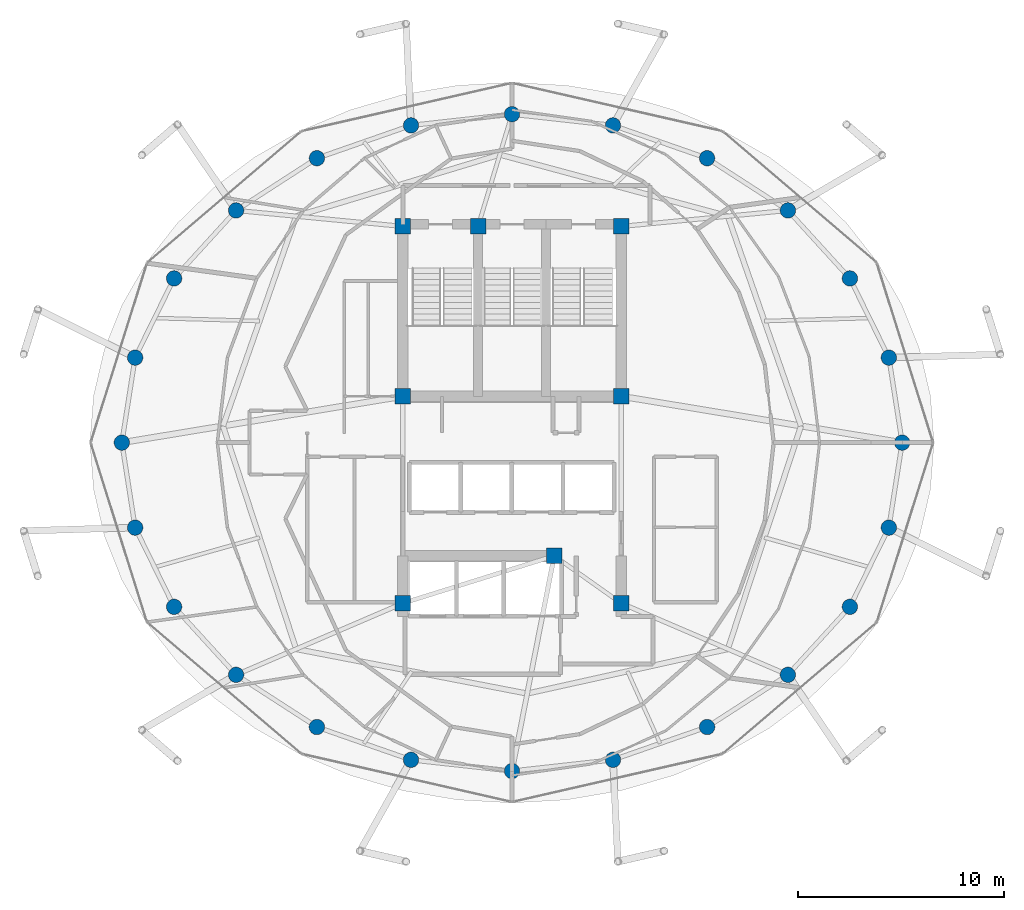
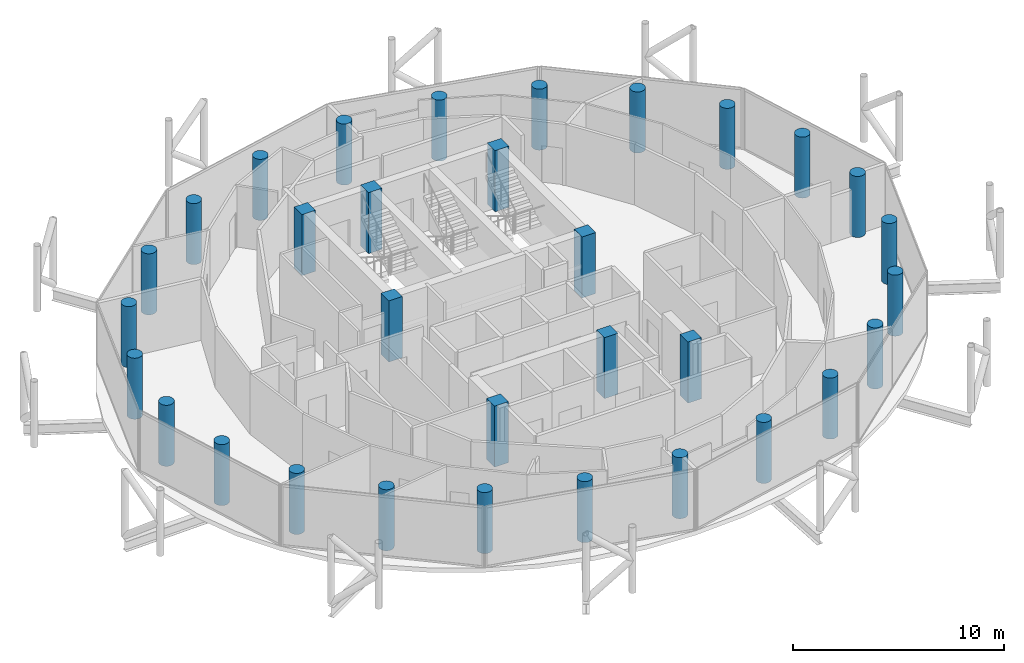
# One storey, part 1 of 24: 32 columns.
"""IFC4 building model written with IfcOpenShell, lengths in metres."""

import ifcopenshell
import ifcopenshell.guid

model = None  # the IFC model being written
_history = None  # IfcOwnerHistory: only IFC2X3 demands one
_inside = {}  # id of a spatial element -> (the spatial element, [elements in it])
_under = {}  # id of a project, library or spatial element -> (it, [spatial elements below it])
_declared = {}  # id of a project -> (the project, [libraries it declares])
_typed = {}  # id of a type object -> (the type object, [elements of that type])
_made_of = {}  # id of a material, layer set ... -> (it, [elements and type objects made of it])


def new_model(schema):
    """Start an empty IFC model of exactly this schema.

    Asked for "IFC4X3", IfcOpenShell would pick the latest addendum, in which some entities
    have other attributes; the version numbers below select the first issue.
    IFC2X3 requires an IfcOwnerHistory on every rooted entity: one is made here for all.
    """
    global model, _history
    if schema == "IFC4X3":
        model = ifcopenshell.file(schema_version=(4, 3, 0, 0))
    else:
        model = ifcopenshell.file(schema=schema)
    _inside.clear()
    _under.clear()
    _declared.clear()
    _typed.clear()
    _made_of.clear()
    _history = None
    if model.schema == "IFC2X3":
        org = make("IfcOrganization", Name="unknown")
        user = make(
            "IfcPersonAndOrganization",
            ThePerson=make("IfcPerson", FamilyName="unknown"),
            TheOrganization=org,
        )
        app = make(
            "IfcApplication",
            ApplicationDeveloper=org,
            Version="unknown",
            ApplicationFullName="unknown",
            ApplicationIdentifier="unknown",
        )
        _history = make(
            "IfcOwnerHistory",
            OwningUser=user,
            OwningApplication=app,
            ChangeAction="ADDED",
            CreationDate=0,
        )
    return model


def make(cls, **values):
    """One entity of the class cls with the attributes given. An attribute that is None is left unset."""
    return model.create_entity(
        cls, **{name: value for name, value in values.items() if value is not None}
    )


def rooted(cls, **values):
    """An entity with a GlobalId (a new one), such as an element, a storey or a relation."""
    return make(cls, GlobalId=ifcopenshell.guid.new(), OwnerHistory=_history, **values)


def si_unit(unit_type, name, prefix=None):
    """IfcSIUnit, for example si_unit("LENGTHUNIT", "METRE", prefix="MILLI")."""
    return make("IfcSIUnit", UnitType=unit_type, Prefix=prefix, Name=name)


def assignment(units):
    """IfcUnitAssignment: the units of a project."""
    return None if units is None else make("IfcUnitAssignment", Units=units)


def point(xyz):
    """IfcCartesianPoint."""
    return None if xyz is None else make("IfcCartesianPoint", Coordinates=xyz)


def direction(xyz):
    """IfcDirection."""
    return None if xyz is None else make("IfcDirection", DirectionRatios=xyz)


def frame(location, z_axis=None, x_axis=None):
    """IfcAxis2Placement3D, a coordinate frame: its origin and axes. An axis left out is left unset."""
    return make(
        "IfcAxis2Placement3D",
        Location=point(location),
        Axis=direction(z_axis),
        RefDirection=direction(x_axis),
    )


def frame_2d(location, x_axis=None):
    """IfcAxis2Placement2D, a coordinate frame in the plane: its origin and x axis."""
    return make(
        "IfcAxis2Placement2D", Location=point(location), RefDirection=direction(x_axis)
    )


def origin():
    """The frame at (0, 0, 0) with its axes left unset."""
    return frame((0.0, 0.0, 0.0))


def origin_2d():
    """The frame at (0, 0) in the plane with its x axis left unset."""
    return frame_2d((0.0, 0.0))


def place(relative_to, where):
    """IfcLocalPlacement: puts the frame where relative to a parent placement (None: the world)."""
    return make(
        "IfcLocalPlacement", PlacementRelTo=relative_to, RelativePlacement=where
    )


def context(
    kind, dimensions, precision=None, world=None, true_north=None, identifier=None
):
    """IfcGeometricRepresentationContext, for example the 3D "Model" context."""
    return make(
        "IfcGeometricRepresentationContext",
        ContextIdentifier=identifier,
        ContextType=kind,
        CoordinateSpaceDimension=dimensions,
        Precision=precision,
        WorldCoordinateSystem=world,
        TrueNorth=true_north,
    )


def subcontext(parent, identifier, kind, view, scale=None):
    """IfcGeometricRepresentationSubContext, for example "Body" below "Model"."""
    return make(
        "IfcGeometricRepresentationSubContext",
        ContextIdentifier=identifier,
        ContextType=kind,
        ParentContext=parent,
        TargetScale=scale,
        TargetView=view,
    )


def project(units=None, contexts=None):
    """IfcProject with its units and contexts."""
    return rooted(
        "IfcProject",
        Name="project",
        RepresentationContexts=contexts,
        UnitsInContext=assignment(units),
    )


def spatial(cls, under=None, at=None, **own):
    """A site, building, storey or space (cls), placed at a placement, below another one or the project."""
    s = rooted(cls, ObjectPlacement=at, **own)
    if under is not None:
        _under.setdefault(under.id(), (under, []))[1].append(s)
    return s


def profile(cls, at=None, kind="AREA", **sizes):
    """A parametric profile (cls). Its sizes go by their IFC names, for example OverallWidth=200.0."""
    return make(cls, ProfileType=kind, Position=at, **sizes)


def rectangle(**sizes):
    """IfcRectangleProfileDef."""
    return profile("IfcRectangleProfileDef", **sizes)


def circle(**sizes):
    """IfcCircleProfileDef."""
    return profile("IfcCircleProfileDef", **sizes)


def extrude(swept, where, along, depth):
    """IfcExtrudedAreaSolid: the profile swept, set in the frame where, extruded along a direction by depth."""
    return make(
        "IfcExtrudedAreaSolid",
        SweptArea=swept,
        Position=where,
        ExtrudedDirection=direction(along),
        Depth=depth,
    )


def shape(context_of_items, identifier, shape_type, items):
    """IfcShapeRepresentation: the items that make up one representation, for example the "Body"."""
    return make(
        "IfcShapeRepresentation",
        ContextOfItems=context_of_items,
        RepresentationIdentifier=identifier,
        RepresentationType=shape_type,
        Items=items,
    )


def material(Name=None, Category=None):
    """IfcMaterial."""
    return make("IfcMaterial", Name=Name, Category=Category)


def material_profile(
    of_material, cross_section, Name=None, Category=None, Priority=None
):
    """IfcMaterialProfile: a cross section and its material."""
    return make(
        "IfcMaterialProfile",
        Name=Name,
        Material=of_material,
        Profile=cross_section,
        Priority=Priority,
        Category=Category,
    )


def profile_set(profiles, Name=None, composite=None):
    """IfcMaterialProfileSet."""
    return make(
        "IfcMaterialProfileSet",
        Name=Name,
        MaterialProfiles=profiles,
        CompositeProfile=composite,
    )


def made_of(thing, what):
    """Note that an element or type object is made of a material, layer set ...; save() writes the relation."""
    if what is not None:
        _made_of.setdefault(what.id(), (what, []))[1].append(thing)
    return thing


def type_object(cls, material=None, **own):
    """A type object (cls), such as IfcWallType, which elements share."""
    return made_of(rooted(cls, **own), material)


def element(
    cls,
    number,
    at=None,
    inside=None,
    cuts=None,
    type_object=None,
    material=None,
    context=None,
    identifier="Body",
    shape_type=None,
    held_by="IfcProductDefinitionShape",
    body=None,
    shapes=None,
    **own,
):
    """One element of the class cls, such as IfcWall. Its Tag is "e" and its number.

    at: its placement. inside: the storey or other place that contains it. cuts: it is an
    opening in that element (IfcRelVoidsElement). A single representation is given by context,
    identifier, shape_type and body (its items); several are given by shapes. held_by: the class
    of the entity that holds the representations. save() writes the other relations.
    """
    e = rooted(cls, Tag="e%d" % number, ObjectPlacement=at, **own)
    if body is not None:
        shapes = [shape(context, identifier, shape_type, body)]
    if shapes is not None:
        e.Representation = make(held_by, Representations=shapes)
    if inside is not None:
        _inside.setdefault(inside.id(), (inside, []))[1].append(e)
    if cuts is not None:
        rooted(
            "IfcRelVoidsElement", RelatingBuildingElement=cuts, RelatedOpeningElement=e
        )
    if type_object is not None:
        _typed.setdefault(type_object.id(), (type_object, []))[1].append(e)
    return made_of(e, material)


def aggregate(whole, parts):
    """IfcRelAggregates: a whole, such as a stair, and the parts it consists of."""
    return rooted("IfcRelAggregates", RelatingObject=whole, RelatedObjects=parts)


def save(model, path):
    """Write the relations noted so far, then the file.

    IfcRelAggregates (storeys below a building ...), IfcRelContainedInSpatialStructure (elements
    in a storey), IfcRelDefinesByType, IfcRelAssociatesMaterial and IfcRelDeclares: one each for
    every whole, place, type object, material and project.
    """
    for whole, parts in _under.values():
        aggregate(whole, parts)
    for where, things in _inside.values():
        rooted(
            "IfcRelContainedInSpatialStructure",
            RelatedElements=things,
            RelatingStructure=where,
        )
    for kind, things in _typed.values():
        rooted("IfcRelDefinesByType", RelatedObjects=things, RelatingType=kind)
    for what, things in _made_of.values():
        rooted("IfcRelAssociatesMaterial", RelatedObjects=things, RelatingMaterial=what)
    for by, libraries in _declared.values():
        rooted("IfcRelDeclares", RelatingContext=by, RelatedDefinitions=libraries)
    model.write(path)


model = new_model("IFC4")

# Units and contexts
model_context = context("Model", 3, precision=1e-05, world=origin(), true_north=direction((0.0, 1.0)))
body_context = subcontext(model_context, "Body", "Model", "MODEL_VIEW")
ifc_project = project(units=[si_unit("LENGTHUNIT", "METRE"), si_unit("AREAUNIT", "SQUARE_METRE"), si_unit("VOLUMEUNIT", "CUBIC_METRE"), si_unit("PLANEANGLEUNIT", "RADIAN"), si_unit("MASSUNIT", "GRAM", prefix="KILO")], contexts=[model_context])

# Site, building, storey
site_placement = place(None, origin())
site = spatial("IfcSite", under=ifc_project, at=site_placement, CompositionType="ELEMENT")
building_placement = place(site_placement, origin())
building = spatial("IfcBuilding", under=site, at=building_placement, Name="Nuhasar Tower", CompositionType="ELEMENT")
storey_placement = place(building_placement, frame((0.0, 0.0, 270.800048828125)))
storey = spatial("IfcBuildingStorey", under=building, at=storey_placement, Name="L67", CompositionType="ELEMENT", Elevation=270.800048828125)

# Columns
ifc_material = material(Name="Concrete C50/60", Category="concrete")
ifc_material_profile_1 = material_profile(ifc_material, circle(Radius=0.375, at=origin_2d()), Name="CFT750")
ifc_profile_set_1 = profile_set([ifc_material_profile_1], Name="Concrete C50/60")
column_type_1 = type_object("IfcColumnType", Name="COL-CFT-750", PredefinedType="COLUMN", material=ifc_profile_set_1)
for number, where, z_axis, x_axis, name in (
    (1, (57.949951171875, 26.800048828125, 0.0), (0.0, 0.0, 1.0), (1.0, 0.0, 0.0), "L67 Perimeter Composite Column TC-01"),
    (2, (57.303955078125, 30.927978515625, 0.0), (0.0, 0.0, 1.0), (1.0, 0.0, 0.0), "L67 Perimeter Composite Column TC-02"),
    (3, (55.410888671875, 34.77490234375, 0.0), (0.0, 0.0, 1.0), (1.0, 0.0, 0.0), "L67 Perimeter Composite Column TC-03"),
    (4, (52.39990234375, 38.077880859375, 0.0), (0.0, 0.0, 1.0), (1.0, 0.0, 0.0), "L67 Perimeter Composite Column TC-04"),
    (5, (48.47509765625, 40.613037109375, 0.0), (0.0, 0.0, 1.0), (1.0, 0.0, 0.0), "L67 Perimeter Composite Column TC-05"),
    (6, (43.905029296875, 42.20703125, 0.0), (0.0, 0.0, 1.0), (1.0, 0.0, 0.0), "L67 Perimeter Composite Column TC-06"),
    (7, (39.0, 42.75, 0.0), (0.0, 0.0, 1.0), (1.0, 0.0, 0.0), "L67 Perimeter Composite Column TC-07"),
    (8, (34.094970703125, 42.20703125, 0.0), (0.0, 0.0, 1.0), (1.0, 0.0, 0.0), "L67 Perimeter Composite Column TC-08"),
    (9, (29.52490234375, 40.613037109375, 0.0), (0.0, 0.0, 1.0), (1.0, 0.0, 0.0), "L67 Perimeter Composite Column TC-09"),
    (10, (25.60009765625, 38.077880859375, 0.0), (0.0, 0.0, 1.0), (1.0, 0.0, 0.0), "L67 Perimeter Composite Column TC-10"),
    (11, (22.589111328125, 34.77490234375, 0.0), (0.0, 0.0, 1.0), (1.0, 0.0, 0.0), "L67 Perimeter Composite Column TC-11"),
    (12, (20.696044921875, 30.927978515625, 0.0), (0.0, 0.0, 1.0), (1.0, 0.0, 0.0), "L67 Perimeter Composite Column TC-12"),
    (13, (20.050048828125, 26.800048828125, 0.0), (0.0, 0.0, 1.0), (1.0, 0.0, 0.0), "L67 Perimeter Composite Column TC-13"),
    (14, (20.696044921875, 22.672119140625, 0.0), (0.0, 0.0, 1.0), (1.0, 0.0, 0.0), "L67 Perimeter Composite Column TC-14"),
    (15, (22.589111328125, 18.824951171875, 0.0), (0.0, 0.0, 1.0), (1.0, 0.0, 0.0), "L67 Perimeter Composite Column TC-15"),
    (16, (25.60009765625, 15.52197265625, 0.0), (0.0, 0.0, 1.0), (1.0, 0.0, 0.0), "L67 Perimeter Composite Column TC-16"),
    (17, (29.52490234375, 12.987060546875, 0.0), (0.0, 0.0, 1.0), (1.0, 0.0, 0.0), "L67 Perimeter Composite Column TC-17"),
    (18, (34.094970703125, 11.39306640625, 0.0), (0.0, 0.0, 1.0), (1.0, 0.0, 0.0), "L67 Perimeter Composite Column TC-18"),
    (19, (39.0, 10.85009765625, 0.0), (0.0, 0.0, 1.0), (1.0, 0.0, 0.0), "L67 Perimeter Composite Column TC-19"),
    (20, (43.905029296875, 11.39306640625, 0.0), (0.0, 0.0, 1.0), (1.0, 0.0, 0.0), "L67 Perimeter Composite Column TC-20"),
    (21, (48.47509765625, 12.987060546875, 0.0), (0.0, 0.0, 1.0), (1.0, 0.0, 0.0), "L67 Perimeter Composite Column TC-21"),
    (22, (52.39990234375, 15.52197265625, 0.0), (0.0, 0.0, 1.0), (1.0, 0.0, 0.0), "L67 Perimeter Composite Column TC-22"),
    (23, (55.410888671875, 18.824951171875, 0.0), (0.0, 0.0, 1.0), (1.0, 0.0, 0.0), "L67 Perimeter Composite Column TC-23"),
    (24, (57.303955078125, 22.672119140625, 0.0), (0.0, 0.0, 1.0), (1.0, 0.0, 0.0), "L67 Perimeter Composite Column TC-24"),
):
    element("IfcColumn", number, at=place(storey_placement, frame(where, z_axis=z_axis, x_axis=x_axis)), inside=storey, type_object=column_type_1, Name=name, PredefinedType="COLUMN", context=body_context, shape_type="SweptSolid", body=[
        extrude(circle(Radius=0.375, at=origin_2d()), origin(), (0.0, 0.0, 1.0), 3.5400390625),
    ])
ifc_material_profile_2 = material_profile(ifc_material, rectangle(XDim=0.75, YDim=0.75, at=origin_2d()), Name="RC750X750")
ifc_profile_set_2 = profile_set([ifc_material_profile_2], Name="Concrete C50/60")
column_type_2 = type_object("IfcColumnType", Name="PIL-RC-750", PredefinedType="PILASTER", material=ifc_profile_set_2)
for number, where, z_axis, x_axis, name in (
    (25, (33.699951171875, 19.0, 0.0), (0.0, 0.0, 1.0), (1.0, 0.0, 0.0), "L67 Core Boundary Pilaster CC-01"),
    (26, (41.050048828125, 21.300048828125, 0.0), (0.0, 0.0, 1.0), (1.0, 0.0, 0.0), "L67 Core Boundary Pilaster CC-02"),
    (27, (44.300048828125, 19.0, 0.0), (0.0, 0.0, 1.0), (1.0, 0.0, 0.0), "L67 Core Boundary Pilaster CC-03"),
    (28, (44.300048828125, 29.050048828125, 0.0), (0.0, 0.0, 1.0), (1.0, 0.0, 0.0), "L67 Core Boundary Pilaster CC-04"),
    (29, (44.300048828125, 37.300048828125, 0.0), (0.0, 0.0, 1.0), (1.0, 0.0, 0.0), "L67 Core Boundary Pilaster CC-05"),
    (30, (37.35009765625, 37.300048828125, 0.0), (0.0, 0.0, 1.0), (1.0, 0.0, 0.0), "L67 Core Boundary Pilaster CC-06"),
    (31, (33.699951171875, 37.300048828125, 0.0), (0.0, 0.0, 1.0), (1.0, 0.0, 0.0), "L67 Core Boundary Pilaster CC-07"),
    (32, (33.699951171875, 29.050048828125, 0.0), (0.0, 0.0, 1.0), (1.0, 0.0, 0.0), "L67 Core Boundary Pilaster CC-08"),
):
    element("IfcColumn", number, at=place(storey_placement, frame(where, z_axis=z_axis, x_axis=x_axis)), inside=storey, type_object=column_type_2, Name=name, PredefinedType="PILASTER", context=body_context, shape_type="SweptSolid", body=[
        extrude(rectangle(XDim=0.75, YDim=0.75, at=origin_2d()), origin(), (0.0, 0.0, 1.0), 3.5400390625),
    ])

save(model, "model.ifc")
